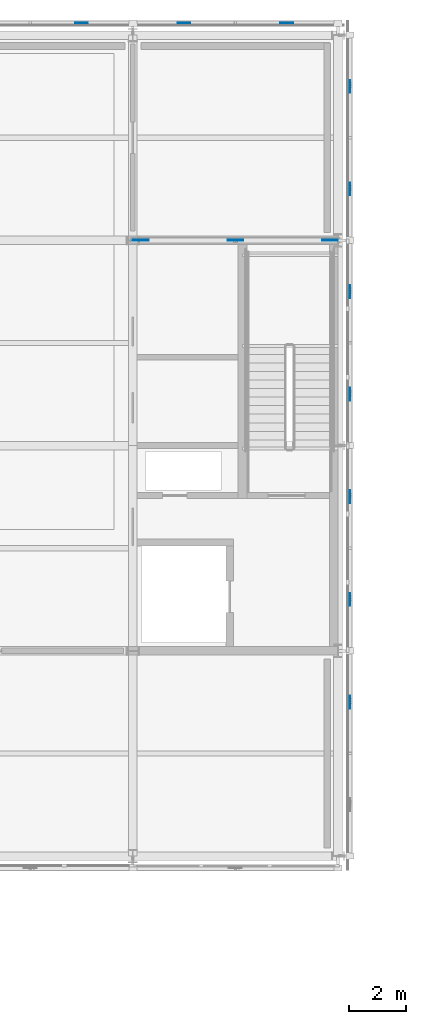
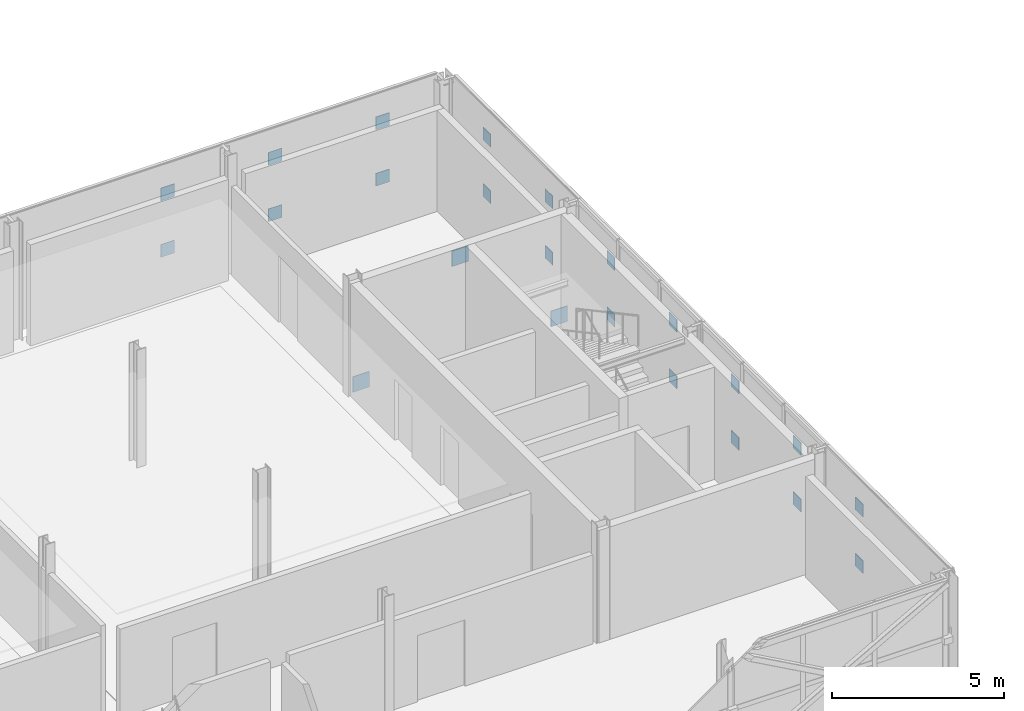
# One storey, part 111 of 146: 23 plates.
"""IFC4 building model written with IfcOpenShell, lengths in metres."""

from ifc_helpers import new_model, si_unit, direction, frame, origin, origin_2d, place, context, subcontext, project, spatial, rectangle, extrude, material, layer, layer_set, type_object, element, save


model = new_model("IFC4")

# Units and contexts
model_context = context("Model", 3, precision=1e-05, world=origin(), true_north=direction((0.0, 1.0)))
body_context = subcontext(model_context, "Body", "Model", "MODEL_VIEW")
ifc_project = project(units=[si_unit("LENGTHUNIT", "METRE"), si_unit("AREAUNIT", "SQUARE_METRE"), si_unit("VOLUMEUNIT", "CUBIC_METRE"), si_unit("PLANEANGLEUNIT", "RADIAN"), si_unit("MASSUNIT", "GRAM", prefix="KILO")], contexts=[model_context])

# Site, building, storey
site_placement = place(None, origin())
site = spatial("IfcSite", under=ifc_project, at=site_placement, CompositionType="ELEMENT")
building_placement = place(site_placement, origin())
building = spatial("IfcBuilding", under=site, at=building_placement, Name="Zlatovets Crest Museum", CompositionType="ELEMENT")
storey_placement = place(building_placement, frame((0.0, 0.0, 4.5)))
storey = spatial("IfcBuildingStorey", under=building, at=storey_placement, Name="L01", CompositionType="ELEMENT", Elevation=4.5)

# Plates
ifc_material = material(Name="Structural steel S355J2", Category="steel")
ifc_layer_1 = layer(ifc_material, 0.02490234375)
ifc_layer_set_1 = layer_set([ifc_layer_1], Name="Structural steel S355J2")
plate_type_1 = type_object("IfcPlateType", Name="Gusset_GP-01", PredefinedType="USERDEFINED", material=ifc_layer_set_1)
for number, where, z_axis, x_axis, name in (
    (1, (101.080078125, 108.0, 0.0048828125), (0.0, 0.0, 1.0), (1.0, 0.0, 0.0), "V1 L01 Brace End Gusset Plate GP-01"),
    (2, (107.719970703125, 108.0, 0.0048828125), (0.0, 0.0, 1.0), (1.0, 0.0, 0.0), "V1 L01 Brace End Gusset Plate GP-01"),
    (3, (104.39990234375, 108.0, 3.294921875), (0.0, 0.0, 1.0), (1.0, 0.0, 0.0), "V1 L01 Brace End Gusset Plate GP-01"),
):
    element("IfcPlate", number, at=place(storey_placement, frame(where, z_axis=z_axis, x_axis=x_axis)), inside=storey, type_object=plate_type_1, Name=name, ObjectType="GUSSET", PredefinedType="USERDEFINED", context=body_context, shape_type="SweptSolid", body=[
        extrude(rectangle(XDim=0.550048828125, YDim=0.02490234375, at=origin_2d()), origin(), (0.0, 0.0, 1.0), 0.550048828125),
    ])
ifc_layer_2 = layer(ifc_material, 0.02001953125)
ifc_layer_set_2 = layer_set([ifc_layer_2], Name="Structural steel S355J2")
plate_type_2 = type_object("IfcPlateType", Name="Gusset_GP-04", PredefinedType="USERDEFINED", material=ifc_layer_set_2)
for number, where, z_axis, x_axis, name in (
    (4, (108.419921875, 91.800048828125, 0.875), (0.0, 0.0, 1.0), (1.0, 0.0, 0.0), "X-Brace Crossing Node Gusset Plate GP-04"),
    (5, (108.419921875, 91.800048828125, 2.875), (0.0, 0.0, 1.0), (1.0, 0.0, 0.0), "X-Brace Crossing Node Gusset Plate GP-04"),
    (6, (108.419921875, 95.39990234375, 0.875), (0.0, 0.0, 1.0), (1.0, 0.0, 0.0), "X-Brace Crossing Node Gusset Plate GP-04"),
    (7, (108.419921875, 99.0, 0.875), (0.0, 0.0, 1.0), (1.0, 0.0, 0.0), "X-Brace Crossing Node Gusset Plate GP-04"),
    (8, (108.419921875, 95.39990234375, 2.875), (0.0, 0.0, 1.0), (1.0, 0.0, 0.0), "X-Brace Crossing Node Gusset Plate GP-04"),
    (9, (108.419921875, 99.0, 2.875), (0.0, 0.0, 1.0), (1.0, 0.0, 0.0), "X-Brace Crossing Node Gusset Plate GP-04"),
    (10, (108.419921875, 102.60009765625, 0.875), (0.0, 0.0, 1.0), (1.0, 0.0, 0.0), "X-Brace Crossing Node Gusset Plate GP-04"),
    (11, (108.419921875, 106.199951171875, 0.875), (0.0, 0.0, 1.0), (1.0, 0.0, 0.0), "X-Brace Crossing Node Gusset Plate GP-04"),
    (12, (108.419921875, 102.60009765625, 2.875), (0.0, 0.0, 1.0), (1.0, 0.0, 0.0), "X-Brace Crossing Node Gusset Plate GP-04"),
    (13, (108.419921875, 106.199951171875, 2.875), (0.0, 0.0, 1.0), (1.0, 0.0, 0.0), "X-Brace Crossing Node Gusset Plate GP-04"),
    (14, (108.419921875, 109.800048828125, 0.875), (0.0, 0.0, 1.0), (1.0, 0.0, 0.0), "X-Brace Crossing Node Gusset Plate GP-04"),
    (15, (108.419921875, 113.39990234375, 0.875), (0.0, 0.0, 1.0), (1.0, 0.0, 0.0), "X-Brace Crossing Node Gusset Plate GP-04"),
    (16, (108.419921875, 109.800048828125, 2.875), (0.0, 0.0, 1.0), (1.0, 0.0, 0.0), "X-Brace Crossing Node Gusset Plate GP-04"),
    (17, (108.419921875, 113.39990234375, 2.875), (0.0, 0.0, 1.0), (1.0, 0.0, 0.0), "X-Brace Crossing Node Gusset Plate GP-04"),
):
    element("IfcPlate", number, at=place(storey_placement, frame(where, z_axis=z_axis, x_axis=x_axis)), inside=storey, type_object=plate_type_2, Name=name, ObjectType="GUSSET", PredefinedType="USERDEFINED", context=body_context, shape_type="SweptSolid", body=[
        extrude(rectangle(XDim=0.02001953125, YDim=0.449951171875, at=origin_2d()), origin(), (0.0, 0.0, 1.0), 0.449951171875),
    ])
for number, where, z_axis, x_axis, name in (
    (18, (106.199951171875, 115.6201171875, 0.875), (0.0, 0.0, 1.0), (1.0, 0.0, 0.0), "X-Brace Crossing Node Gusset Plate GP-04"),
    (19, (102.60009765625, 115.6201171875, 0.875), (0.0, 0.0, 1.0), (1.0, 0.0, 0.0), "X-Brace Crossing Node Gusset Plate GP-04"),
    (20, (106.199951171875, 115.6201171875, 2.875), (0.0, 0.0, 1.0), (1.0, 0.0, 0.0), "X-Brace Crossing Node Gusset Plate GP-04"),
    (21, (102.60009765625, 115.6201171875, 2.875), (0.0, 0.0, 1.0), (1.0, 0.0, 0.0), "X-Brace Crossing Node Gusset Plate GP-04"),
    (22, (99.0, 115.6201171875, 0.875), (0.0, 0.0, 1.0), (1.0, 0.0, 0.0), "X-Brace Crossing Node Gusset Plate GP-04"),
    (23, (99.0, 115.6201171875, 2.875), (0.0, 0.0, 1.0), (1.0, 0.0, 0.0), "X-Brace Crossing Node Gusset Plate GP-04"),
):
    element("IfcPlate", number, at=place(storey_placement, frame(where, z_axis=z_axis, x_axis=x_axis)), inside=storey, type_object=plate_type_2, Name=name, ObjectType="GUSSET", PredefinedType="USERDEFINED", context=body_context, shape_type="SweptSolid", body=[
        extrude(rectangle(XDim=0.449951171875, YDim=0.02001953125, at=origin_2d()), origin(), (0.0, 0.0, 1.0), 0.449951171875),
    ])

save(model, "model.ifc")
